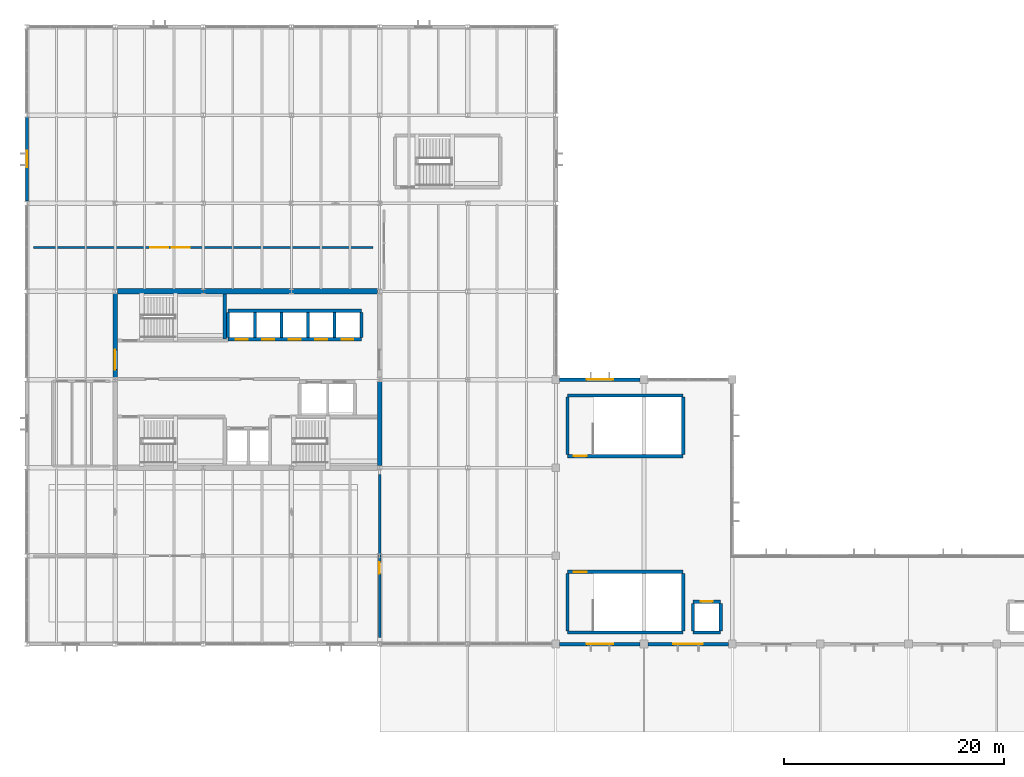
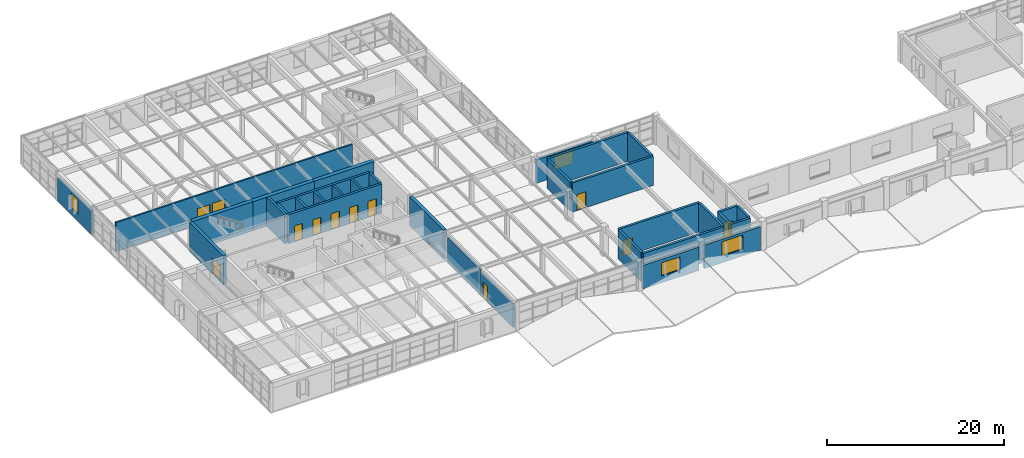
# One storey, part 38 of 48: 33 walls, 11 doors, 5 windows, 16 openings.
"""IFC4 building model written with IfcOpenShell, lengths in metres."""

from ifc_helpers import new_model, si_unit, direction, frame, frame_2d, origin, place, context, subcontext, project, spatial, rectangle, extrude, material, layer, layer_set, type_object, element, fill, save


model = new_model("IFC4")

# Units and contexts
model_context = context("Model", 3, precision=1e-05, world=origin(), true_north=direction((0.0, 1.0)))
body_context = subcontext(model_context, "Body", "Model", "MODEL_VIEW")
ifc_project = project(units=[si_unit("LENGTHUNIT", "METRE"), si_unit("AREAUNIT", "SQUARE_METRE"), si_unit("VOLUMEUNIT", "CUBIC_METRE"), si_unit("PLANEANGLEUNIT", "RADIAN"), si_unit("MASSUNIT", "GRAM", prefix="KILO")], contexts=[model_context])

# Site, building, storey
site_placement = place(None, origin())
site = spatial("IfcSite", under=ifc_project, at=site_placement, CompositionType="ELEMENT")
building_placement = place(site_placement, origin())
building = spatial("IfcBuilding", under=site, at=building_placement, Name="Varnela Railside Interchange", CompositionType="ELEMENT")
storey_placement = place(building_placement, frame((0.0, 0.0, 11.199951171875)))
storey = spatial("IfcBuildingStorey", under=building, at=storey_placement, Name="L02", CompositionType="ELEMENT", Elevation=11.199951171875)

# Wall, opening, window
ifc_material_1 = material(Name="Concrete C40 precast", Category="concrete")
ifc_layer_1 = layer(ifc_material_1, 0.320068359375)
ifc_layer_set_1 = layer_set([ifc_layer_1], Name="Concrete C40 precast")
wall_type_1 = type_object("IfcWallType", Name="Board-Formed Concrete Facade Wall EW-01", PredefinedType="STANDARD", material=ifc_layer_set_1)
wall_1_placement = place(storey_placement, frame((52.35009765625, 62.0, 0.0), z_axis=(0.0, 0.0, 1.0), x_axis=(1.0, 0.0, 0.0)))
wall_1 = element("IfcWall", 1, at=wall_1_placement, inside=storey, type_object=wall_type_1, Name="Board-Formed Concrete Facade Wall EW-01 (L02) (WL-0657)", PredefinedType="STANDARD", context=body_context, shape_type="SweptSolid", body=[
    extrude(rectangle(XDim=7.2998046875, YDim=0.320068359375, at=frame_2d((3.64990234375, 0.0))), origin(), (0.0, 0.0, 1.0), 3.22998046875),
])
opening_1_placement = place(wall_1_placement, frame((2.449951171875, 0.0, 0.949951171875)))
opening_1 = element("IfcOpeningElement", 2, at=opening_1_placement, cuts=wall_1, Name="Opening W-065", PredefinedType="OPENING", context=body_context, shape_type="SweptSolid", body=[
    extrude(rectangle(XDim=2.39990234375, YDim=1.800048828125, at=frame_2d((1.199951171875, 0.89990234375))), frame((0.0, 0.169921875, 0.0), z_axis=(0.0, -1.0, 0.0), x_axis=(1.0, 0.0, 0.0)), (0.0, 0.0, 1.0), 0.340087890625),
])
ifc_material_2 = material(Name="Glass laminated double", Category="glass")
window_type_1 = type_object("IfcWindowType", Name="Concourse Clerestory Window WN-01", PartitioningType="SINGLE_PANEL", PredefinedType="WINDOW", material=ifc_material_2)
window_1_placement = place(opening_1_placement, origin())
window_1 = element("IfcWindow", 3, at=window_1_placement, inside=storey, type_object=window_type_1, Name="Window W-065", OverallHeight=1.800048828125, OverallWidth=2.39990234375, PartitioningType="SINGLE_PANEL", PredefinedType="WINDOW", context=body_context, shape_type="SweptSolid", body=[
    extrude(rectangle(XDim=2.39990234375, YDim=1.800048828125, at=frame_2d((1.199951171875, 0.89990234375))), frame((0.0, 0.030029296875, 0.0), z_axis=(0.0, -1.0, 0.0), x_axis=(1.0, 0.0, 0.0)), (0.0, 0.0, 1.0), 0.06005859375),
])
fill(opening_1, window_1)

wall_2_placement = place(storey_placement, frame((67.64990234375, 38.0, 0.0), z_axis=(0.0, 0.0, 1.0), x_axis=(-1.0, 0.0, 0.0)))
wall_2 = element("IfcWall", 4, at=wall_2_placement, inside=storey, type_object=wall_type_1, Name="Board-Formed Concrete Facade Wall EW-01 (L02) (WL-0686)", PredefinedType="STANDARD", context=body_context, shape_type="SweptSolid", body=[
    extrude(rectangle(XDim=7.2998046875, YDim=0.320068359375, at=frame_2d((3.64990234375, 0.0))), origin(), (0.0, 0.0, 1.0), 3.22998046875),
])
opening_2_placement = place(wall_2_placement, frame((2.300048828125, 0.0, 0.949951171875)))
opening_2 = element("IfcOpeningElement", 5, at=opening_2_placement, cuts=wall_2, Name="Opening W-093", PredefinedType="OPENING", context=body_context, shape_type="SweptSolid", body=[
    extrude(rectangle(XDim=2.699951171875, YDim=1.949951171875, at=frame_2d((1.35009765625, 0.97509765625))), frame((0.0, 0.169921875, 0.0), z_axis=(0.0, -1.0, 0.0), x_axis=(1.0, 0.0, 0.0)), (0.0, 0.0, 1.0), 0.340087890625),
])
window_type_2 = type_object("IfcWindowType", Name="Sign-On Hall Wide Window WN-19", PartitioningType="SINGLE_PANEL", PredefinedType="WINDOW", material=ifc_material_2)
window_2_placement = place(opening_2_placement, origin())
window_2 = element("IfcWindow", 6, at=window_2_placement, inside=storey, type_object=window_type_2, Name="Window W-093", OverallHeight=1.949951171875, OverallWidth=2.699951171875, PartitioningType="SINGLE_PANEL", PredefinedType="WINDOW", context=body_context, shape_type="SweptSolid", body=[
    extrude(rectangle(XDim=2.699951171875, YDim=1.949951171875, at=frame_2d((1.35009765625, 0.97509765625))), frame((0.0, 0.030029296875, 0.0), z_axis=(0.0, -1.0, 0.0), x_axis=(1.0, 0.0, 0.0)), (0.0, 0.0, 1.0), 0.06005859375),
])
fill(opening_2, window_2)

wall_3_placement = place(storey_placement, frame((59.64990234375, 38.0, 0.0), z_axis=(0.0, 0.0, 1.0), x_axis=(-1.0, 0.0, 0.0)))
wall_3 = element("IfcWall", 7, at=wall_3_placement, inside=storey, type_object=wall_type_1, Name="Board-Formed Concrete Facade Wall EW-01 (L02) (WL-0687)", PredefinedType="STANDARD", context=body_context, shape_type="SweptSolid", body=[
    extrude(rectangle(XDim=7.2998046875, YDim=0.320068359375, at=frame_2d((3.64990234375, 0.0))), origin(), (0.0, 0.0, 1.0), 3.22998046875),
])
opening_3_placement = place(wall_3_placement, frame((2.449951171875, 0.0, 0.949951171875)))
opening_3 = element("IfcOpeningElement", 8, at=opening_3_placement, cuts=wall_3, Name="Opening W-094", PredefinedType="OPENING", context=body_context, shape_type="SweptSolid", body=[
    extrude(rectangle(XDim=2.39990234375, YDim=1.800048828125, at=frame_2d((1.199951171875, 0.89990234375))), frame((0.0, 0.169921875, 0.0), z_axis=(0.0, -1.0, 0.0), x_axis=(1.0, 0.0, 0.0)), (0.0, 0.0, 1.0), 0.340087890625),
])
window_3_placement = place(opening_3_placement, origin())
window_3 = element("IfcWindow", 9, at=window_3_placement, inside=storey, type_object=window_type_1, Name="Window W-094", OverallHeight=1.800048828125, OverallWidth=2.39990234375, PartitioningType="SINGLE_PANEL", PredefinedType="WINDOW", context=body_context, shape_type="SweptSolid", body=[
    extrude(rectangle(XDim=2.39990234375, YDim=1.800048828125, at=frame_2d((1.199951171875, 0.89990234375))), frame((0.0, 0.030029296875, 0.0), z_axis=(0.0, -1.0, 0.0), x_axis=(1.0, 0.0, 0.0)), (0.0, 0.0, 1.0), 0.06005859375),
])
fill(opening_3, window_3)

# Wall, opening, door
ifc_material_3 = material(Name="Concrete C50", Category="concrete")
ifc_layer_2 = layer(ifc_material_3, 0.39990234375)
ifc_layer_set_2 = layer_set([ifc_layer_2], Name="Concrete C50")
wall_type_2 = type_object("IfcWallType", Name="Core Coupling Shear Wall SW-02", PredefinedType="SHEAR", material=ifc_layer_set_2)
wall_4_placement = place(storey_placement, frame((12.0, 62.193603515625, 0.0), z_axis=(0.0, 0.0, 1.0), x_axis=(0.0, 1.0, 0.0)))
wall_4 = element("IfcWall", 10, at=wall_4_placement, inside=storey, type_object=wall_type_2, Name="Core Coupling Shear Wall SW-02 (L02) (WL-0655)", PredefinedType="SHEAR", context=body_context, shape_type="SweptSolid", body=[
    extrude(rectangle(XDim=7.61279296875, YDim=0.39990234375, at=frame_2d((3.806396484375, 0.0))), origin(), (0.0, 0.0, 1.0), 4.0),
])
opening_4_placement = place(wall_4_placement, frame((0.7060546875, 0.0, 0.0)))
opening_4 = element("IfcOpeningElement", 11, at=opening_4_placement, cuts=wall_4, Name="Opening D-214", PredefinedType="OPENING", context=body_context, shape_type="SweptSolid", body=[
    extrude(rectangle(XDim=1.800048828125, YDim=2.199951171875, at=frame_2d((0.89990234375, 1.10009765625))), frame((0.0, 0.2099609375, 0.0), z_axis=(0.0, -1.0, 0.0), x_axis=(1.0, 0.0, 0.0)), (0.0, 0.0, 1.0), 0.419921875),
])
ifc_material_4 = material(Name="Steel AR 350 (350 MPa)", Category="steel")
door_type_1 = type_object("IfcDoorType", Name="DR-DBL-1800-FD60", OperationType="DOUBLE_DOOR_SINGLE_SWING", PredefinedType="DOOR", material=ifc_material_4)
door_1_placement = place(opening_4_placement, frame((1.800048828125, 0.0, 0.0), z_axis=(0.0, 0.0, 1.0), x_axis=(-1.0, 0.0, 0.0)))
door_1 = element("IfcDoor", 12, at=door_1_placement, inside=storey, type_object=door_type_1, Name="Door D-214", OperationType="DOUBLE_DOOR_SINGLE_SWING", OverallHeight=2.199951171875, OverallWidth=1.800048828125, PredefinedType="DOOR", context=body_context, shape_type="SweptSolid", body=[
    extrude(rectangle(XDim=1.800048828125, YDim=2.199951171875, at=frame_2d((0.89990234375, 1.10009765625))), frame((0.0, 0.02490234375, 0.0), z_axis=(0.0, -1.0, 0.0), x_axis=(1.0, 0.0, 0.0)), (0.0, 0.0, 1.0), 0.050048828125),
])
fill(opening_4, door_1)

# Walls
wall_5_placement = place(storey_placement, frame((36.0, 54.193603515625, 0.0), z_axis=(0.0, 0.0, 1.0), x_axis=(0.0, 1.0, 0.0)))
element("IfcWall", 13, at=wall_5_placement, inside=storey, type_object=wall_type_2, Name="Core Coupling Shear Wall SW-02 (L02) (WL-0625)", PredefinedType="SHEAR", context=body_context, shape_type="SweptSolid", body=[
    extrude(rectangle(XDim=7.61279296875, YDim=0.39990234375, at=frame_2d((3.806396484375, 0.0))), origin(), (0.0, 0.0, 1.0), 4.0),
])
ifc_layer_3 = layer(ifc_material_3, 0.5)
ifc_layer_set_3 = layer_set([ifc_layer_3], Name="Concrete C50")
wall_type_3 = type_object("IfcWallType", Name="Core Primary Shear Wall SW-01", PredefinedType="SHEAR", material=ifc_layer_set_3)
wall_6_placement = place(storey_placement, frame((12.198974609375, 70.0, 0.0), z_axis=(0.0, 0.0, 1.0), x_axis=(1.0, 0.0, 0.0)))
element("IfcWall", 14, at=wall_6_placement, inside=storey, type_object=wall_type_3, Name="Core Primary Shear Wall SW-01 (L02) (WL-0642)", PredefinedType="SHEAR", context=body_context, shape_type="SweptSolid", body=[
    extrude(rectangle(XDim=7.801025390625, YDim=0.5, at=frame_2d((3.900390625, 0.0))), origin(), (0.0, 0.0, 1.0), 4.0),
])
wall_7_placement = place(storey_placement, frame((20.0, 70.0, 0.0), z_axis=(0.0, 0.0, 1.0), x_axis=(1.0, 0.0, 0.0)))
element("IfcWall", 15, at=wall_7_placement, inside=storey, type_object=wall_type_3, Name="Core Primary Shear Wall SW-01 (L02) (WL-0643)", PredefinedType="SHEAR", context=body_context, shape_type="SweptSolid", body=[
    extrude(rectangle(XDim=8.0, YDim=0.5, at=frame_2d((4.0, 0.0))), origin(), (0.0, 0.0, 1.0), 4.0),
])
wall_8_placement = place(storey_placement, frame((28.0, 70.0, 0.0), z_axis=(0.0, 0.0, 1.0), x_axis=(1.0, 0.0, 0.0)))
element("IfcWall", 16, at=wall_8_placement, inside=storey, type_object=wall_type_3, Name="Core Primary Shear Wall SW-01 (L02) (WL-0644)", PredefinedType="SHEAR", context=body_context, shape_type="SweptSolid", body=[
    extrude(rectangle(XDim=7.801025390625, YDim=0.5, at=frame_2d((3.900390625, 0.0))), origin(), (0.0, 0.0, 1.0), 4.0),
])

# Wall, openings, door, window
ifc_material_5 = material(Name="Gypsum acoustic board")
ifc_layer_4 = layer(ifc_material_5, 0.179931640625)
ifc_layer_set_4 = layer_set([ifc_layer_4], Name="Gypsum acoustic board")
wall_type_4 = type_object("IfcWallType", Name="Double-Stud Corridor Wall IW-02", PredefinedType="PARTITIONING", material=ifc_layer_set_4)
wall_9_placement = place(storey_placement, frame((4.60009765625, 74.0, 0.0), z_axis=(0.0, 0.0, 1.0), x_axis=(1.0, 0.0, 0.0)))
wall_9 = element("IfcWall", 17, at=wall_9_placement, inside=storey, type_object=wall_type_4, Name="Double-Stud Corridor Wall IW-02 (L02) (WL-0698)", PredefinedType="PARTITIONING", context=body_context, shape_type="SweptSolid", body=[
    extrude(rectangle(XDim=30.7998046875, YDim=0.199951171875, at=frame_2d((15.39990234375, 0.0))), origin(), (0.0, 0.0, 1.0), 4.0),
])
opening_5_placement = place(wall_9_placement, frame((10.60009765625, 0.0, 0.0)))
opening_5 = element("IfcOpeningElement", 18, at=opening_5_placement, cuts=wall_9, Name="Opening D-233", PredefinedType="OPENING", context=body_context, shape_type="SweptSolid", body=[
    extrude(rectangle(XDim=1.60009765625, YDim=2.199951171875, at=frame_2d((0.800048828125, 1.10009765625))), frame((0.0, 0.10986328125, 0.0), z_axis=(0.0, -1.0, 0.0), x_axis=(1.0, 0.0, 0.0)), (0.0, 0.0, 1.0), 0.219970703125),
])
opening_6_placement = place(wall_9_placement, frame((12.550048828125, 0.0, 0.949951171875)))
opening_6 = element("IfcOpeningElement", 19, at=opening_6_placement, cuts=wall_9, Name="Opening IW-013", PredefinedType="OPENING", context=body_context, shape_type="SweptSolid", body=[
    extrude(rectangle(XDim=1.60009765625, YDim=1.300048828125, at=frame_2d((0.800048828125, 0.64990234375))), frame((0.0, 0.10986328125, 0.0), z_axis=(0.0, -1.0, 0.0), x_axis=(1.0, 0.0, 0.0)), (0.0, 0.0, 1.0), 0.219970703125),
])
door_type_2 = type_object("IfcDoorType", Name="DR-DBL-1600", OperationType="DOUBLE_DOOR_SINGLE_SWING", PredefinedType="DOOR", material=ifc_material_2)
door_2_placement = place(opening_5_placement, origin())
door_2 = element("IfcDoor", 20, at=door_2_placement, inside=storey, type_object=door_type_2, Name="Door D-233", OperationType="DOUBLE_DOOR_SINGLE_SWING", OverallHeight=2.199951171875, OverallWidth=1.60009765625, PredefinedType="DOOR", context=body_context, shape_type="SweptSolid", body=[
    extrude(rectangle(XDim=1.60009765625, YDim=2.199951171875, at=frame_2d((0.800048828125, 1.10009765625))), frame((0.0, 0.02490234375, 0.0), z_axis=(0.0, -1.0, 0.0), x_axis=(1.0, 0.0, 0.0)), (0.0, 0.0, 1.0), 0.050048828125),
])
fill(opening_5, door_2)
window_type_3 = type_object("IfcWindowType", Name="Interior Acoustic Vision Window IW-WN1", PartitioningType="SINGLE_PANEL", PredefinedType="WINDOW", material=ifc_material_2)
window_4_placement = place(opening_6_placement, origin())
window_4 = element("IfcWindow", 21, at=window_4_placement, inside=storey, type_object=window_type_3, Name="Window IW-013", OverallHeight=1.300048828125, OverallWidth=1.60009765625, PartitioningType="SINGLE_PANEL", PredefinedType="WINDOW", context=body_context, shape_type="SweptSolid", body=[
    extrude(rectangle(XDim=1.60009765625, YDim=1.300048828125, at=frame_2d((0.800048828125, 0.64990234375))), frame((0.0, 0.030029296875, 0.0), z_axis=(0.0, -1.0, 0.0), x_axis=(1.0, 0.0, 0.0)), (0.0, 0.0, 1.0), 0.06005859375),
])
fill(opening_6, window_4)

# Wall, opening, door
ifc_material_6 = material(Name="Concrete C40", Category="concrete")
ifc_layer_5 = layer(ifc_material_6, 0.22998046875)
ifc_layer_set_5 = layer_set([ifc_layer_5], Name="Concrete C40")
wall_type_5 = type_object("IfcWallType", Name="Fire Compartment Wall EI90 FW-02", PredefinedType="SOLIDWALL", material=ifc_layer_set_5)
wall_10_placement = place(storey_placement, frame((36.0, 38.60009765625, 0.0), z_axis=(0.0, 0.0, 1.0), x_axis=(0.0, 1.0, 0.0)))
wall_10 = element("IfcWall", 22, at=wall_10_placement, inside=storey, type_object=wall_type_5, Name="Fire Compartment Wall EI90 FW-02 (L02) (WL-0707)", PredefinedType="SOLIDWALL", context=body_context, shape_type="SweptSolid", body=[
    extrude(rectangle(XDim=7.39990234375, YDim=0.219970703125, at=frame_2d((3.699951171875, 0.0))), origin(), (0.0, 0.0, 1.0), 3.25),
])
opening_7_placement = place(wall_10_placement, frame((5.800048828125, 0.0, 0.0)))
opening_7 = element("IfcOpeningElement", 23, at=opening_7_placement, cuts=wall_10, Name="Opening D-234", PredefinedType="OPENING", context=body_context, shape_type="SweptSolid", body=[
    extrude(rectangle(XDim=1.0, YDim=2.14990234375, at=frame_2d((0.5, 1.074951171875))), frame((0.0, 0.119873046875, 0.0), z_axis=(0.0, -1.0, 0.0), x_axis=(1.0, 0.0, 0.0)), (0.0, 0.0, 1.0), 0.239990234375),
])
door_type_3 = type_object("IfcDoorType", Name="DR-SGL-1000-FD60", OperationType="NOTDEFINED", PredefinedType="DOOR", material=ifc_material_4)
door_3_placement = place(opening_7_placement, origin())
door_3 = element("IfcDoor", 24, at=door_3_placement, inside=storey, type_object=door_type_3, Name="Door D-234", OperationType="SINGLE_SWING_LEFT", OverallHeight=2.14990234375, OverallWidth=1.0, PredefinedType="DOOR", context=body_context, shape_type="SweptSolid", body=[
    extrude(rectangle(XDim=1.0, YDim=2.14990234375, at=frame_2d((0.5, 1.074951171875))), frame((0.0, 0.02490234375, 0.0), z_axis=(0.0, -1.0, 0.0), x_axis=(1.0, 0.0, 0.0)), (0.0, 0.0, 1.0), 0.050048828125),
])
fill(opening_7, door_3)

# Wall
wall_11_placement = place(storey_placement, frame((36.0, 46.0, 0.0), z_axis=(0.0, 0.0, 1.0), x_axis=(0.0, 1.0, 0.0)))
element("IfcWall", 25, at=wall_11_placement, inside=storey, type_object=wall_type_5, Name="Fire Compartment Wall EI90 FW-02 (L02) (WL-0708)", PredefinedType="SOLIDWALL", context=body_context, shape_type="SweptSolid", body=[
    extrude(rectangle(XDim=7.39990234375, YDim=0.219970703125, at=frame_2d((3.699951171875, 0.0))), origin(), (0.0, 0.0, 1.0), 3.4609375),
])

# Wall, opening, window
ifc_layer_6 = layer(ifc_material_1, 0.280029296875)
ifc_layer_set_6 = layer_set([ifc_layer_6], Name="Concrete C40 precast")
wall_type_6 = type_object("IfcWallType", Name="Ribbed Precast Concrete Facade Wall EW-02", PredefinedType="STANDARD", material=ifc_layer_set_6)
wall_12_placement = place(storey_placement, frame((4.0, 78.1875, 0.0), z_axis=(0.0, 0.0, 1.0), x_axis=(0.0, 1.0, 0.0)))
wall_12 = element("IfcWall", 26, at=wall_12_placement, inside=storey, type_object=wall_type_6, Name="Ribbed Precast Concrete Facade Wall EW-02 (L02) (WL-0669)", PredefinedType="STANDARD", context=body_context, shape_type="SweptSolid", body=[
    extrude(rectangle(XDim=7.625, YDim=0.280029296875, at=frame_2d((3.8125, 0.0))), origin(), (0.0, 0.0, 1.0), 3.25),
])
opening_8_placement = place(wall_12_placement, frame((3.0625, 0.0, 0.949951171875)))
opening_8 = element("IfcOpeningElement", 27, at=opening_8_placement, cuts=wall_12, Name="Opening W-061", PredefinedType="OPENING", context=body_context, shape_type="SweptSolid", body=[
    extrude(rectangle(XDim=1.5, YDim=2.0, at=frame_2d((0.75, 1.0))), frame((0.0, 0.14990234375, 0.0), z_axis=(0.0, -1.0, 0.0), x_axis=(1.0, 0.0, 0.0)), (0.0, 0.0, 1.0), 0.300048828125),
])
window_type_4 = type_object("IfcWindowType", Name="Operations Modular Window WN-04", PartitioningType="SINGLE_PANEL", PredefinedType="WINDOW", material=ifc_material_2)
window_5_placement = place(opening_8_placement, origin())
window_5 = element("IfcWindow", 28, at=window_5_placement, inside=storey, type_object=window_type_4, Name="Window W-061", OverallHeight=2.0, OverallWidth=1.5, PartitioningType="SINGLE_PANEL", PredefinedType="WINDOW", context=body_context, shape_type="SweptSolid", body=[
    extrude(rectangle(XDim=1.5, YDim=2.0, at=frame_2d((0.75, 1.0))), frame((0.0, 0.030029296875, 0.0), z_axis=(0.0, -1.0, 0.0), x_axis=(1.0, 0.0, 0.0)), (0.0, 0.0, 1.0), 0.06005859375),
])
fill(opening_8, window_5)

# Wall
ifc_layer_7 = layer(ifc_material_3, 0.300048828125)
ifc_layer_set_7 = layer_set([ifc_layer_7], Name="Concrete C50")
wall_type_7 = type_object("IfcWallType", Name="Stair & Lift Shaft Wall SW-03", PredefinedType="SHEAR", material=ifc_layer_set_7)
wall_13_placement = place(storey_placement, frame((21.949951171875, 65.699951171875, 0.0), z_axis=(0.0, 0.0, 1.0), x_axis=(0.0, 1.0, 0.0)))
element("IfcWall", 29, at=wall_13_placement, inside=storey, type_object=wall_type_7, Name="Stair & Lift Shaft Wall SW-03 (L02) (WL-0652)", PredefinedType="SHEAR", context=body_context, shape_type="SweptSolid", body=[
    extrude(rectangle(XDim=4.050048828125, YDim=0.300048828125, at=frame_2d((2.02490234375, 0.0))), origin(), (0.0, 0.0, 1.0), 4.0),
])

# Wall, openings, doors
wall_14_placement = place(storey_placement, frame((22.25, 65.64990234375, 0.0), z_axis=(0.0, 0.0, 1.0), x_axis=(1.0, 0.0, 0.0)))
wall_14 = element("IfcWall", 30, at=wall_14_placement, inside=storey, type_object=wall_type_7, Name="Stair & Lift Shaft Wall SW-03 (L02) (WL-0640)", PredefinedType="SHEAR", context=body_context, shape_type="SweptSolid", body=[
    extrude(rectangle(XDim=12.10009765625, YDim=0.300048828125, at=frame_2d((6.050048828125, 0.0))), origin(), (0.0, 0.0, 1.0), 4.0),
])
opening_9_placement = place(wall_14_placement, frame((0.699951171875, 0.0, 0.0)))
opening_9 = element("IfcOpeningElement", 31, at=opening_9_placement, cuts=wall_14, Name="Opening LD-047", PredefinedType="OPENING", context=body_context, shape_type="SweptSolid", body=[
    extrude(rectangle(XDim=1.080078125, YDim=2.199951171875, at=frame_2d((0.5400390625, 1.10009765625))), frame((0.0, 0.159912109375, 0.0), z_axis=(0.0, -1.0, 0.0), x_axis=(1.0, 0.0, 0.0)), (0.0, 0.0, 1.0), 0.320068359375),
])
opening_10_placement = place(wall_14_placement, frame((3.10009765625, 0.0, 0.0)))
opening_10 = element("IfcOpeningElement", 32, at=opening_10_placement, cuts=wall_14, Name="Opening LD-048", PredefinedType="OPENING", context=body_context, shape_type="SweptSolid", body=[
    extrude(rectangle(XDim=1.080078125, YDim=2.199951171875, at=frame_2d((0.5400390625, 1.10009765625))), frame((0.0, 0.159912109375, 0.0), z_axis=(0.0, -1.0, 0.0), x_axis=(1.0, 0.0, 0.0)), (0.0, 0.0, 1.0), 0.320068359375),
])
opening_11_placement = place(wall_14_placement, frame((5.5, 0.0, 0.0)))
opening_11 = element("IfcOpeningElement", 33, at=opening_11_placement, cuts=wall_14, Name="Opening LD-049", PredefinedType="OPENING", context=body_context, shape_type="SweptSolid", body=[
    extrude(rectangle(XDim=1.080078125, YDim=2.199951171875, at=frame_2d((0.5400390625, 1.10009765625))), frame((0.0, 0.159912109375, 0.0), z_axis=(0.0, -1.0, 0.0), x_axis=(1.0, 0.0, 0.0)), (0.0, 0.0, 1.0), 0.320068359375),
])
opening_12_placement = place(wall_14_placement, frame((7.89990234375, 0.0, 0.0)))
opening_12 = element("IfcOpeningElement", 34, at=opening_12_placement, cuts=wall_14, Name="Opening LD-050", PredefinedType="OPENING", context=body_context, shape_type="SweptSolid", body=[
    extrude(rectangle(XDim=1.080078125, YDim=2.199951171875, at=frame_2d((0.5400390625, 1.10009765625))), frame((0.0, 0.159912109375, 0.0), z_axis=(0.0, -1.0, 0.0), x_axis=(1.0, 0.0, 0.0)), (0.0, 0.0, 1.0), 0.320068359375),
])
opening_13_placement = place(wall_14_placement, frame((10.300048828125, 0.0, 0.0)))
opening_13 = element("IfcOpeningElement", 35, at=opening_13_placement, cuts=wall_14, Name="Opening LD-051", PredefinedType="OPENING", context=body_context, shape_type="SweptSolid", body=[
    extrude(rectangle(XDim=1.080078125, YDim=2.199951171875, at=frame_2d((0.5400390625, 1.10009765625))), frame((0.0, 0.159912109375, 0.0), z_axis=(0.0, -1.0, 0.0), x_axis=(1.0, 0.0, 0.0)), (0.0, 0.0, 1.0), 0.320068359375),
])
door_type_4 = type_object("IfcDoorType", Name="DR-LIFT-1080", OperationType="SLIDING_TO_LEFT", PredefinedType="DOOR", material=ifc_material_4)
door_4_placement = place(opening_9_placement, origin())
door_4 = element("IfcDoor", 36, at=door_4_placement, inside=storey, type_object=door_type_4, Name="Door LD-047", OperationType="SLIDING_TO_LEFT", OverallHeight=2.199951171875, OverallWidth=1.080078125, PredefinedType="DOOR", context=body_context, shape_type="SweptSolid", body=[
    extrude(rectangle(XDim=1.080078125, YDim=2.199951171875, at=frame_2d((0.5400390625, 1.10009765625))), frame((0.0, 0.02490234375, 0.0), z_axis=(0.0, -1.0, 0.0), x_axis=(1.0, 0.0, 0.0)), (0.0, 0.0, 1.0), 0.050048828125),
])
fill(opening_9, door_4)
door_5_placement = place(opening_10_placement, origin())
door_5 = element("IfcDoor", 37, at=door_5_placement, inside=storey, type_object=door_type_4, Name="Door LD-048", OperationType="SLIDING_TO_LEFT", OverallHeight=2.199951171875, OverallWidth=1.080078125, PredefinedType="DOOR", context=body_context, shape_type="SweptSolid", body=[
    extrude(rectangle(XDim=1.080078125, YDim=2.199951171875, at=frame_2d((0.5400390625, 1.10009765625))), frame((0.0, 0.02490234375, 0.0), z_axis=(0.0, -1.0, 0.0), x_axis=(1.0, 0.0, 0.0)), (0.0, 0.0, 1.0), 0.050048828125),
])
fill(opening_10, door_5)
door_6_placement = place(opening_11_placement, origin())
door_6 = element("IfcDoor", 38, at=door_6_placement, inside=storey, type_object=door_type_4, Name="Door LD-049", OperationType="SLIDING_TO_LEFT", OverallHeight=2.199951171875, OverallWidth=1.080078125, PredefinedType="DOOR", context=body_context, shape_type="SweptSolid", body=[
    extrude(rectangle(XDim=1.080078125, YDim=2.199951171875, at=frame_2d((0.5400390625, 1.10009765625))), frame((0.0, 0.02490234375, 0.0), z_axis=(0.0, -1.0, 0.0), x_axis=(1.0, 0.0, 0.0)), (0.0, 0.0, 1.0), 0.050048828125),
])
fill(opening_11, door_6)
door_7_placement = place(opening_12_placement, origin())
door_7 = element("IfcDoor", 39, at=door_7_placement, inside=storey, type_object=door_type_4, Name="Door LD-050", OperationType="SLIDING_TO_LEFT", OverallHeight=2.199951171875, OverallWidth=1.080078125, PredefinedType="DOOR", context=body_context, shape_type="SweptSolid", body=[
    extrude(rectangle(XDim=1.080078125, YDim=2.199951171875, at=frame_2d((0.5400390625, 1.10009765625))), frame((0.0, 0.02490234375, 0.0), z_axis=(0.0, -1.0, 0.0), x_axis=(1.0, 0.0, 0.0)), (0.0, 0.0, 1.0), 0.050048828125),
])
fill(opening_12, door_7)
door_8_placement = place(opening_13_placement, origin())
door_8 = element("IfcDoor", 40, at=door_8_placement, inside=storey, type_object=door_type_4, Name="Door LD-051", OperationType="SLIDING_TO_LEFT", OverallHeight=2.199951171875, OverallWidth=1.080078125, PredefinedType="DOOR", context=body_context, shape_type="SweptSolid", body=[
    extrude(rectangle(XDim=1.080078125, YDim=2.199951171875, at=frame_2d((0.5400390625, 1.10009765625))), frame((0.0, 0.02490234375, 0.0), z_axis=(0.0, -1.0, 0.0), x_axis=(1.0, 0.0, 0.0)), (0.0, 0.0, 1.0), 0.050048828125),
])
fill(opening_13, door_8)

# Walls
wall_15_placement = place(storey_placement, frame((22.25, 68.25, 0.0), z_axis=(0.0, 0.0, 1.0), x_axis=(1.0, 0.0, 0.0)))
element("IfcWall", 41, at=wall_15_placement, inside=storey, type_object=wall_type_7, Name="Stair & Lift Shaft Wall SW-03 (L02) (WL-0639)", PredefinedType="SHEAR", context=body_context, shape_type="SweptSolid", body=[
    extrude(rectangle(XDim=12.10009765625, YDim=0.300048828125, at=frame_2d((6.050048828125, 0.0))), origin(), (0.0, 0.0, 1.0), 4.0),
])
for number, where, z_axis, x_axis, name in (
    (42, (22.25, 65.800048828125, 0.0), (0.0, 0.0, 1.0), (0.0, 1.0, 0.0), "Stair & Lift Shaft Wall SW-03 (L02) (WL-0641)"),
    (43, (34.35009765625, 65.800048828125, 0.0), (0.0, 0.0, 1.0), (0.0, 1.0, 0.0), "Stair & Lift Shaft Wall SW-03 (L02) (WL-0638)"),
):
    element("IfcWall", number, at=place(storey_placement, frame(where, z_axis=z_axis, x_axis=x_axis)), inside=storey, type_object=wall_type_7, Name=name, PredefinedType="SHEAR", context=body_context, shape_type="SweptSolid", body=[
        extrude(rectangle(XDim=2.300048828125, YDim=0.300048828125, at=frame_2d((1.14990234375, 0.0))), origin(), (0.0, 0.0, 1.0), 4.0),
    ])
for number, where, z_axis, x_axis, name in (
    (44, (24.699951171875, 65.800048828125, 0.0), (0.0, 0.0, 1.0), (0.0, 1.0, 0.0), "Stair & Lift Shaft Wall SW-03 (L02) (WL-0634)"),
    (45, (27.10009765625, 65.800048828125, 0.0), (0.0, 0.0, 1.0), (0.0, 1.0, 0.0), "Stair & Lift Shaft Wall SW-03 (L02) (WL-0635)"),
    (46, (29.5, 65.800048828125, 0.0), (0.0, 0.0, 1.0), (0.0, 1.0, 0.0), "Stair & Lift Shaft Wall SW-03 (L02) (WL-0636)"),
    (47, (31.89990234375, 65.800048828125, 0.0), (0.0, 0.0, 1.0), (0.0, 1.0, 0.0), "Stair & Lift Shaft Wall SW-03 (L02) (WL-0637)"),
):
    element("IfcWall", number, at=place(storey_placement, frame(where, z_axis=z_axis, x_axis=x_axis)), inside=storey, type_object=wall_type_7, Name=name, PredefinedType="SHEAR", context=body_context, shape_type="SweptSolid", body=[
        extrude(rectangle(XDim=2.300048828125, YDim=0.25, at=frame_2d((1.14990234375, 0.0))), origin(), (0.0, 0.0, 1.0), 4.0),
    ])

# Wall, opening, door
wall_16_placement = place(storey_placement, frame((53.050048828125, 44.550048828125, 0.0), z_axis=(0.0, 0.0, 1.0), x_axis=(1.0, 0.0, 0.0)))
wall_16 = element("IfcWall", 48, at=wall_16_placement, inside=storey, type_object=wall_type_7, Name="Stair & Lift Shaft Wall SW-03 (L02) (WL-0727)", PredefinedType="SHEAR", context=body_context, shape_type="SweptSolid", body=[
    extrude(rectangle(XDim=10.5, YDim=0.300048828125, at=frame_2d((5.25, 0.0))), origin(), (0.0, 0.0, 1.0), 4.0),
])
opening_14_placement = place(wall_16_placement, frame((0.550048828125, 0.0, 0.0)))
opening_14 = element("IfcOpeningElement", 49, at=opening_14_placement, cuts=wall_16, Name="Opening D-219", PredefinedType="OPENING", context=body_context, shape_type="SweptSolid", body=[
    extrude(rectangle(XDim=1.199951171875, YDim=2.199951171875, at=frame_2d((0.60009765625, 1.10009765625))), frame((0.0, 0.159912109375, 0.0), z_axis=(0.0, -1.0, 0.0), x_axis=(1.0, 0.0, 0.0)), (0.0, 0.0, 1.0), 0.320068359375),
])
door_type_5 = type_object("IfcDoorType", Name="DR-SGL-1200-FD90", OperationType="NOTDEFINED", PredefinedType="DOOR", material=ifc_material_4)
door_9_placement = place(opening_14_placement, frame((1.199951171875, 0.0, 0.0), z_axis=(0.0, 0.0, 1.0), x_axis=(-1.0, 0.0, 0.0)))
door_9 = element("IfcDoor", 50, at=door_9_placement, inside=storey, type_object=door_type_5, Name="Door D-219", OperationType="SINGLE_SWING_RIGHT", OverallHeight=2.199951171875, OverallWidth=1.199951171875, PredefinedType="DOOR", context=body_context, shape_type="SweptSolid", body=[
    extrude(rectangle(XDim=1.199951171875, YDim=2.199951171875, at=frame_2d((0.60009765625, 1.10009765625))), frame((0.0, 0.02490234375, 0.0), z_axis=(0.0, -1.0, 0.0), x_axis=(1.0, 0.0, 0.0)), (0.0, 0.0, 1.0), 0.050048828125),
])
fill(opening_14, door_9)

# Walls
wall_17_placement = place(storey_placement, frame((53.050048828125, 39.050048828125, 0.0), z_axis=(0.0, 0.0, 1.0), x_axis=(1.0, 0.0, 0.0)))
element("IfcWall", 51, at=wall_17_placement, inside=storey, type_object=wall_type_7, Name="Stair & Lift Shaft Wall SW-03 (L02) (WL-0728)", PredefinedType="SHEAR", context=body_context, shape_type="SweptSolid", body=[
    extrude(rectangle(XDim=10.5, YDim=0.300048828125, at=frame_2d((5.25, 0.0))), origin(), (0.0, 0.0, 1.0), 4.0),
])
for number, where, z_axis, x_axis, name in (
    (52, (53.050048828125, 39.199951171875, 0.0), (0.0, 0.0, 1.0), (0.0, 1.0, 0.0), "Stair & Lift Shaft Wall SW-03 (L02) (WL-0729)"),
    (53, (63.550048828125, 39.199951171875, 0.0), (0.0, 0.0, 1.0), (0.0, 1.0, 0.0), "Stair & Lift Shaft Wall SW-03 (L02) (WL-0726)"),
):
    element("IfcWall", number, at=place(storey_placement, frame(where, z_axis=z_axis, x_axis=x_axis)), inside=storey, type_object=wall_type_7, Name=name, PredefinedType="SHEAR", context=body_context, shape_type="SweptSolid", body=[
        extrude(rectangle(XDim=5.199951171875, YDim=0.300048828125, at=frame_2d((2.60009765625, 0.0))), origin(), (0.0, 0.0, 1.0), 4.0),
    ])
wall_18_placement = place(storey_placement, frame((53.050048828125, 60.550048828125, 0.0), z_axis=(0.0, 0.0, 1.0), x_axis=(1.0, 0.0, 0.0)))
element("IfcWall", 54, at=wall_18_placement, inside=storey, type_object=wall_type_7, Name="Stair & Lift Shaft Wall SW-03 (L02) (WL-0735)", PredefinedType="SHEAR", context=body_context, shape_type="SweptSolid", body=[
    extrude(rectangle(XDim=10.5, YDim=0.300048828125, at=frame_2d((5.25, 0.0))), origin(), (0.0, 0.0, 1.0), 4.0),
])

# Wall, opening, door
wall_19_placement = place(storey_placement, frame((53.050048828125, 55.050048828125, 0.0), z_axis=(0.0, 0.0, 1.0), x_axis=(1.0, 0.0, 0.0)))
wall_19 = element("IfcWall", 55, at=wall_19_placement, inside=storey, type_object=wall_type_7, Name="Stair & Lift Shaft Wall SW-03 (L02) (WL-0736)", PredefinedType="SHEAR", context=body_context, shape_type="SweptSolid", body=[
    extrude(rectangle(XDim=10.5, YDim=0.300048828125, at=frame_2d((5.25, 0.0))), origin(), (0.0, 0.0, 1.0), 4.0),
])
opening_15_placement = place(wall_19_placement, frame((0.550048828125, 0.0, 0.0)))
opening_15 = element("IfcOpeningElement", 56, at=opening_15_placement, cuts=wall_19, Name="Opening D-221", PredefinedType="OPENING", context=body_context, shape_type="SweptSolid", body=[
    extrude(rectangle(XDim=1.199951171875, YDim=2.199951171875, at=frame_2d((0.60009765625, 1.10009765625))), frame((0.0, 0.159912109375, 0.0), z_axis=(0.0, -1.0, 0.0), x_axis=(1.0, 0.0, 0.0)), (0.0, 0.0, 1.0), 0.320068359375),
])
door_10_placement = place(opening_15_placement, origin())
door_10 = element("IfcDoor", 57, at=door_10_placement, inside=storey, type_object=door_type_5, Name="Door D-221", OperationType="SINGLE_SWING_RIGHT", OverallHeight=2.199951171875, OverallWidth=1.199951171875, PredefinedType="DOOR", context=body_context, shape_type="SweptSolid", body=[
    extrude(rectangle(XDim=1.199951171875, YDim=2.199951171875, at=frame_2d((0.60009765625, 1.10009765625))), frame((0.0, 0.02490234375, 0.0), z_axis=(0.0, -1.0, 0.0), x_axis=(1.0, 0.0, 0.0)), (0.0, 0.0, 1.0), 0.050048828125),
])
fill(opening_15, door_10)

# Walls
for number, where, z_axis, x_axis, name in (
    (58, (53.050048828125, 55.199951171875, 0.0), (0.0, 0.0, 1.0), (0.0, 1.0, 0.0), "Stair & Lift Shaft Wall SW-03 (L02) (WL-0737)"),
    (59, (63.550048828125, 55.199951171875, 0.0), (0.0, 0.0, 1.0), (0.0, 1.0, 0.0), "Stair & Lift Shaft Wall SW-03 (L02) (WL-0734)"),
):
    element("IfcWall", number, at=place(storey_placement, frame(where, z_axis=z_axis, x_axis=x_axis)), inside=storey, type_object=wall_type_7, Name=name, PredefinedType="SHEAR", context=body_context, shape_type="SweptSolid", body=[
        extrude(rectangle(XDim=5.199951171875, YDim=0.300048828125, at=frame_2d((2.60009765625, 0.0))), origin(), (0.0, 0.0, 1.0), 4.0),
    ])

# Wall, opening, door
wall_20_placement = place(storey_placement, frame((64.449951171875, 41.85009765625, 0.0), z_axis=(0.0, 0.0, 1.0), x_axis=(1.0, 0.0, 0.0)))
wall_20 = element("IfcWall", 60, at=wall_20_placement, inside=storey, type_object=wall_type_7, Name="Stair & Lift Shaft Wall SW-03 (L02) (WL-0715)", PredefinedType="SHEAR", context=body_context, shape_type="SweptSolid", body=[
    extrude(rectangle(XDim=2.5, YDim=0.300048828125, at=frame_2d((1.25, 0.0))), origin(), (0.0, 0.0, 1.0), 4.0),
])
opening_16_placement = place(wall_20_placement, frame((0.699951171875, 0.0, 0.0)))
opening_16 = element("IfcOpeningElement", 61, at=opening_16_placement, cuts=wall_20, Name="Opening LD-052", PredefinedType="OPENING", context=body_context, shape_type="SweptSolid", body=[
    extrude(rectangle(XDim=1.080078125, YDim=2.199951171875, at=frame_2d((0.5400390625, 1.10009765625))), frame((0.0, 0.159912109375, 0.0), z_axis=(0.0, -1.0, 0.0), x_axis=(1.0, 0.0, 0.0)), (0.0, 0.0, 1.0), 0.320068359375),
])
door_11_placement = place(opening_16_placement, origin())
door_11 = element("IfcDoor", 62, at=door_11_placement, inside=storey, type_object=door_type_4, Name="Door LD-052", OperationType="SLIDING_TO_LEFT", OverallHeight=2.199951171875, OverallWidth=1.080078125, PredefinedType="DOOR", context=body_context, shape_type="SweptSolid", body=[
    extrude(rectangle(XDim=1.080078125, YDim=2.199951171875, at=frame_2d((0.5400390625, 1.10009765625))), frame((0.0, 0.02490234375, 0.0), z_axis=(0.0, -1.0, 0.0), x_axis=(1.0, 0.0, 0.0)), (0.0, 0.0, 1.0), 0.050048828125),
])
fill(opening_16, door_11)

# Walls
for number, where, z_axis, x_axis, name in (
    (63, (64.449951171875, 39.050048828125, 0.0), (0.0, 0.0, 1.0), (1.0, 0.0, 0.0), "Stair & Lift Shaft Wall SW-03 (L02) (WL-0716)"),
    (64, (64.449951171875, 39.199951171875, 0.0), (0.0, 0.0, 1.0), (0.0, 1.0, 0.0), "Stair & Lift Shaft Wall SW-03 (L02) (WL-0717)"),
    (65, (66.949951171875, 39.199951171875, 0.0), (0.0, 0.0, 1.0), (0.0, 1.0, 0.0), "Stair & Lift Shaft Wall SW-03 (L02) (WL-0714)"),
):
    element("IfcWall", number, at=place(storey_placement, frame(where, z_axis=z_axis, x_axis=x_axis)), inside=storey, type_object=wall_type_7, Name=name, PredefinedType="SHEAR", context=body_context, shape_type="SweptSolid", body=[
        extrude(rectangle(XDim=2.5, YDim=0.300048828125, at=frame_2d((1.25, 0.0))), origin(), (0.0, 0.0, 1.0), 4.0),
    ])

save(model, "model.ifc")
